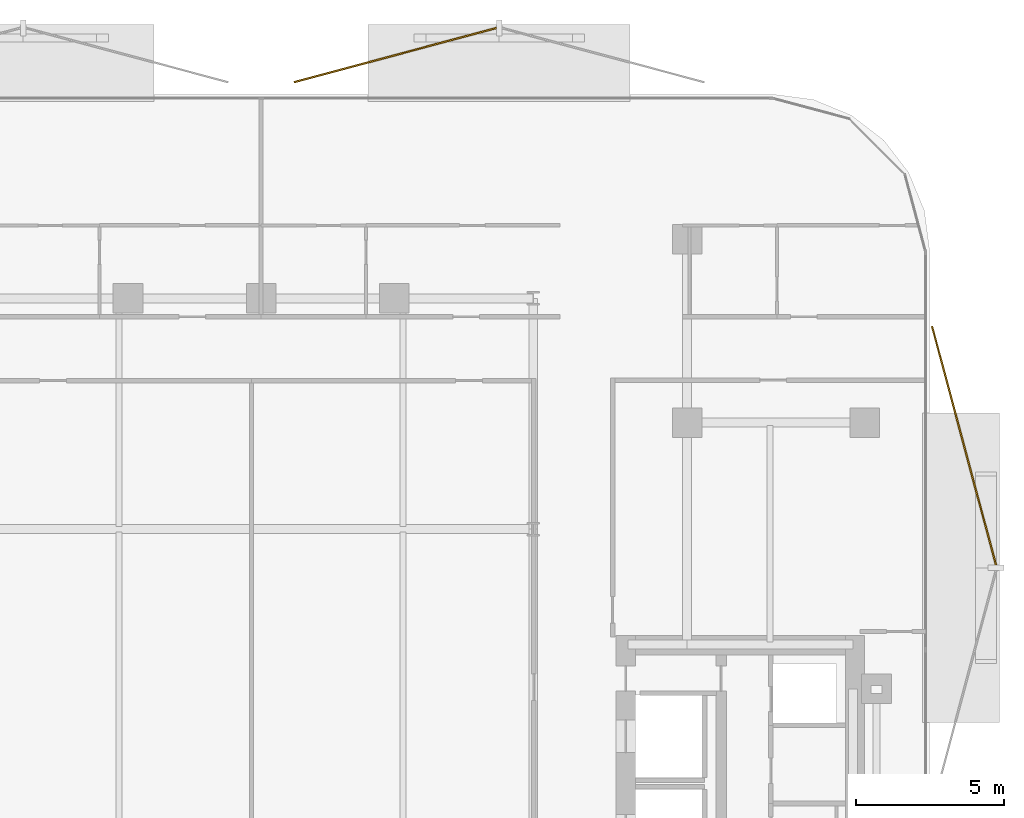
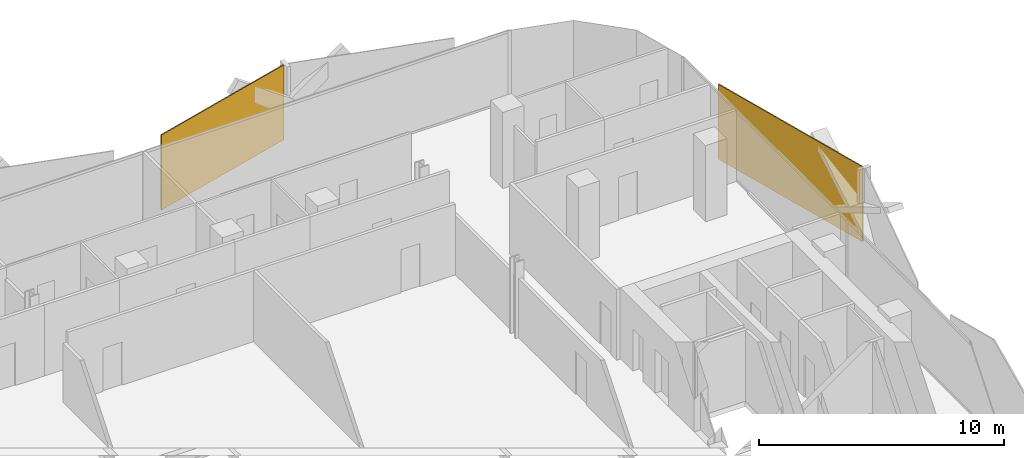
# One storey, part 17 of 17: 2 coverings.
"""IFC4 building model written with IfcOpenShell, lengths in metres."""

from ifc_helpers import new_model, si_unit, direction, frame, origin, origin_2d, place, context, subcontext, project, spatial, rectangle, extrude, material, layer, layer_set, type_object, element, save


model = new_model("IFC4")

# Units and contexts
model_context = context("Model", 3, precision=1e-05, world=origin(), true_north=direction((0.0, 1.0)))
body_context = subcontext(model_context, "Body", "Model", "MODEL_VIEW")
ifc_project = project(units=[si_unit("LENGTHUNIT", "METRE"), si_unit("AREAUNIT", "SQUARE_METRE"), si_unit("VOLUMEUNIT", "CUBIC_METRE"), si_unit("PLANEANGLEUNIT", "RADIAN"), si_unit("MASSUNIT", "GRAM", prefix="KILO")], contexts=[model_context])

# Site, building, storey
site_placement = place(None, origin())
site = spatial("IfcSite", under=ifc_project, at=site_placement, CompositionType="ELEMENT")
building_placement = place(site_placement, origin())
building = spatial("IfcBuilding", under=site, at=building_placement, Name="Khairoan Windgate Tower", CompositionType="ELEMENT")
storey_placement = place(building_placement, frame((0.0, 0.0, 176.39990234375)))
storey = spatial("IfcBuildingStorey", under=building, at=storey_placement, Name="L40", CompositionType="ELEMENT", Elevation=176.39990234375)

# Coverings
ifc_material = material(Name="Anodised Bronze Aluminium 6063-T6", Category="aluminium")
ifc_layer = layer(ifc_material, 0.054931640625, Name="Anodised Bronze Aluminium 6063-T6")
ifc_layer_set = layer_set([ifc_layer], Name="Anodised Bronze Aluminium 6063-T6")
covering_type = type_object("IfcCoveringType", Name="Perforated Bronze-Ceramic Folded Solar Screen Cladding BSC-1", PredefinedType="CLADDING", material=ifc_layer_set)
covering_1_placement = place(storey_placement, frame((4.535888671875, 26.82373046875, -0.10009765625), z_axis=(0.0, 0.0, 1.0), x_axis=(0.965925826289, 0.258819045103, 0.0)))
element("IfcCovering", 1, at=covering_1_placement, inside=storey, type_object=covering_type, Name="L40 Folded Bronze Solar Screen Facet 262L", PredefinedType="CLADDING", context=body_context, shape_type="SweptSolid", body=[
    extrude(rectangle(XDim=7.080078125, YDim=0.054931640625, at=origin_2d()), origin(), (0.0, 0.0, 1.0), 3.739990234375),
])
covering_2_placement = place(storey_placement, frame((23.7587890625, 13.62109375, -0.10009765625), z_axis=(0.0, 0.0, 1.0), x_axis=(0.258819045103, -0.965925826289, 0.0)))
element("IfcCovering", 2, at=covering_2_placement, inside=storey, type_object=covering_type, Name="L40 Folded Bronze Solar Screen Facet 263L", PredefinedType="CLADDING", context=body_context, shape_type="SweptSolid", body=[
    extrude(rectangle(XDim=8.35595703125, YDim=0.054931640625, at=origin_2d()), origin(), (0.0, 0.0, 1.0), 3.739990234375),
])

save(model, "model.ifc")
